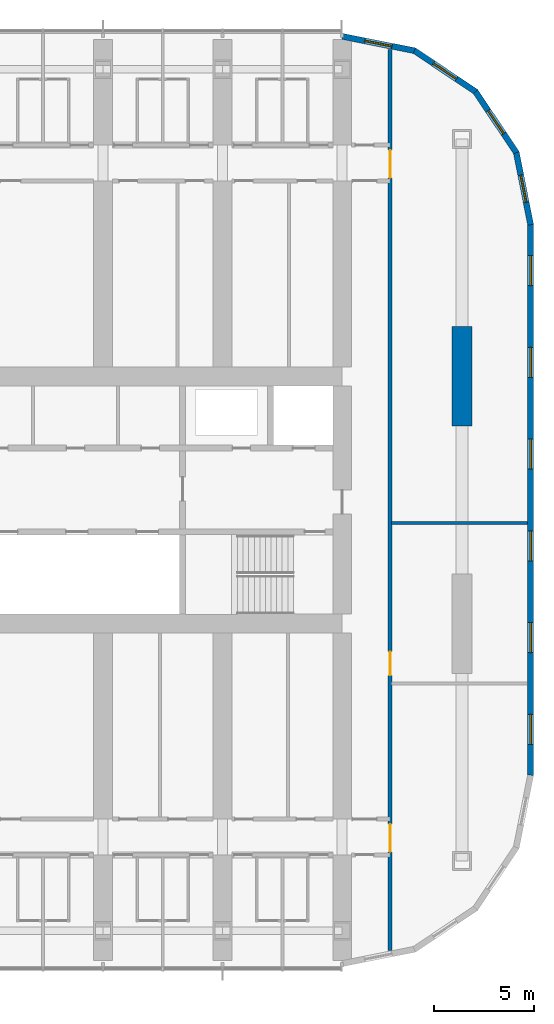
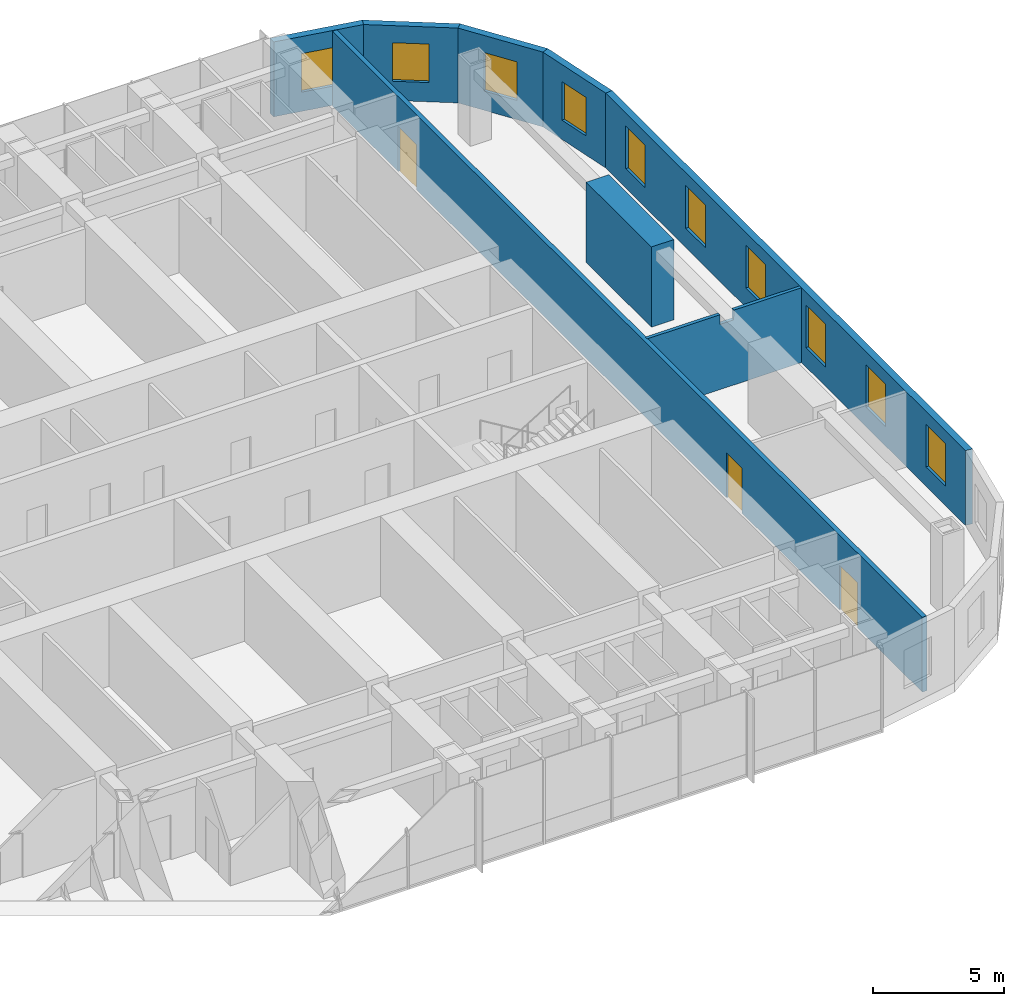
# One storey, part 19 of 26: 10 windows, 8 walls, 3 doors, 13 openings.
"""IFC4 building model written with IfcOpenShell, lengths in metres."""

from ifc_helpers import new_model, si_unit, direction, frame, frame_2d, origin, place, context, subcontext, project, spatial, polyline, rectangle, outline, extrude, material, layer, layer_set, type_object, element, fill, save


model = new_model("IFC4")

# Units and contexts
model_context = context("Model", 3, precision=1e-05, world=origin(), true_north=direction((0.0, 1.0)))
body_context = subcontext(model_context, "Body", "Model", "MODEL_VIEW")
ifc_project = project(units=[si_unit("LENGTHUNIT", "METRE"), si_unit("AREAUNIT", "SQUARE_METRE"), si_unit("VOLUMEUNIT", "CUBIC_METRE"), si_unit("PLANEANGLEUNIT", "RADIAN"), si_unit("MASSUNIT", "GRAM", prefix="KILO")], contexts=[model_context])

# Site, building, storey
site_placement = place(None, origin())
site = spatial("IfcSite", under=ifc_project, at=site_placement, CompositionType="ELEMENT")
building_placement = place(site_placement, origin())
building = spatial("IfcBuilding", under=site, at=building_placement, Name="Orbita Commons", CompositionType="ELEMENT")
storey_placement = place(building_placement, frame((0.0, 0.0, 114.39990234375)))
storey = spatial("IfcBuildingStorey", under=building, at=storey_placement, Name="L28", CompositionType="ELEMENT", Elevation=114.39990234375)

# Wall, openings, doors
ifc_material_1 = material(Name="Concrete blockwork", Category="masonry")
ifc_layer_1 = layer(ifc_material_1, 0.199951171875)
ifc_layer_set_1 = layer_set([ifc_layer_1], Name="Concrete blockwork")
wall_type_1 = type_object("IfcWallType", Name="Corridor wall 200 blockwork", PredefinedType="SOLIDWALL", material=ifc_layer_set_1)
wall_1_placement = place(storey_placement, frame((68.39990234375, 9.4052734375, 0.0), z_axis=(0.0, 0.0, 1.0), x_axis=(0.0, 1.0, 0.0)))
wall_1 = element("IfcWall", 1, at=wall_1_placement, inside=storey, type_object=wall_type_1, Name="Corridor wall 200 blockwork L28", PredefinedType="SOLIDWALL", context=body_context, shape_type="SweptSolid", body=[
    extrude(rectangle(XDim=45.189453125, YDim=0.199951171875, at=frame_2d((22.5947265625, 0.0))), origin(), (0.0, 0.0, 1.0), 3.5),
])
opening_1_placement = place(wall_1_placement, frame((13.794677734375, 0.0, 0.0)))
opening_1 = element("IfcOpeningElement", 2, at=opening_1_placement, cuts=wall_1, Name="Opening D15", PredefinedType="OPENING", context=body_context, shape_type="SweptSolid", body=[
    extrude(rectangle(XDim=1.199951171875, YDim=2.10009765625, at=frame_2d((0.60009765625, 1.050048828125))), frame((0.0, 0.10986328125, 0.0), z_axis=(0.0, -1.0, 0.0), x_axis=(1.0, 0.0, 0.0)), (0.0, 0.0, 1.0), 0.219970703125),
])
opening_2_placement = place(wall_1_placement, frame((4.94482421875, 0.0, 0.0)))
opening_2 = element("IfcOpeningElement", 3, at=opening_2_placement, cuts=wall_1, Name="Opening D08", PredefinedType="OPENING", context=body_context, shape_type="SweptSolid", body=[
    extrude(rectangle(XDim=1.39990234375, YDim=2.10009765625, at=frame_2d((0.699951171875, 1.050048828125))), frame((0.0, 0.10986328125, 0.0), z_axis=(0.0, -1.0, 0.0), x_axis=(1.0, 0.0, 0.0)), (0.0, 0.0, 1.0), 0.219970703125),
])
opening_3_placement = place(wall_1_placement, frame((38.74462890625, 0.0, 0.0)))
opening_3 = element("IfcOpeningElement", 4, at=opening_3_placement, cuts=wall_1, Name="Opening D08", PredefinedType="OPENING", context=body_context, shape_type="SweptSolid", body=[
    extrude(rectangle(XDim=1.39990234375, YDim=2.10009765625, at=frame_2d((0.699951171875, 1.050048828125))), frame((0.0, 0.10986328125, 0.0), z_axis=(0.0, -1.0, 0.0), x_axis=(1.0, 0.0, 0.0)), (0.0, 0.0, 1.0), 0.219970703125),
])
ifc_material_2 = material(Name="Steel-faced fire door leaf", Category="steel")
door_type_1 = type_object("IfcDoorType", Name="Corridor door 20 min 1200x2100", OperationType="SINGLE_SWING_LEFT", PredefinedType="DOOR", material=ifc_material_2)
door_1_placement = place(opening_1_placement, origin())
door_1 = element("IfcDoor", 5, at=door_1_placement, inside=storey, type_object=door_type_1, Name="Reading room door", OperationType="SINGLE_SWING_LEFT", OverallHeight=2.10009765625, OverallWidth=1.199951171875, PredefinedType="DOOR", context=body_context, shape_type="SweptSolid", body=[
    extrude(rectangle(XDim=1.199951171875, YDim=2.10009765625, at=frame_2d((0.60009765625, 1.050048828125))), frame((0.0, 0.02490234375, 0.0), z_axis=(0.0, -1.0, 0.0), x_axis=(1.0, 0.0, 0.0)), (0.0, 0.0, 1.0), 0.050048828125),
])
fill(opening_1, door_1)
ifc_material_3 = material(Name="Steel-faced fire door leaf", Category="steel")
door_type_2 = type_object("IfcDoorType", Name="Double corridor door 20 min 1400x2100", OperationType="DOUBLE_DOOR_SINGLE_SWING", PredefinedType="DOOR", material=ifc_material_3)
door_2_placement = place(opening_2_placement, origin())
door_2 = element("IfcDoor", 6, at=door_2_placement, inside=storey, type_object=door_type_2, Name="Lounge doors", OperationType="DOUBLE_DOOR_SINGLE_SWING", OverallHeight=2.10009765625, OverallWidth=1.39990234375, PredefinedType="DOOR", context=body_context, shape_type="SweptSolid", body=[
    extrude(rectangle(XDim=1.39990234375, YDim=2.10009765625, at=frame_2d((0.699951171875, 1.050048828125))), frame((0.0, 0.02490234375, 0.0), z_axis=(0.0, -1.0, 0.0), x_axis=(1.0, 0.0, 0.0)), (0.0, 0.0, 1.0), 0.050048828125),
])
fill(opening_2, door_2)
door_3_placement = place(opening_3_placement, origin())
door_3 = element("IfcDoor", 7, at=door_3_placement, inside=storey, type_object=door_type_2, Name="Lounge doors", OperationType="DOUBLE_DOOR_SINGLE_SWING", OverallHeight=2.10009765625, OverallWidth=1.39990234375, PredefinedType="DOOR", context=body_context, shape_type="SweptSolid", body=[
    extrude(rectangle(XDim=1.39990234375, YDim=2.10009765625, at=frame_2d((0.699951171875, 1.050048828125))), frame((0.0, 0.02490234375, 0.0), z_axis=(0.0, -1.0, 0.0), x_axis=(1.0, 0.0, 0.0)), (0.0, 0.0, 1.0), 0.050048828125),
])
fill(opening_3, door_3)

# Walls
ifc_material_4 = material(Name="Concrete C50/60", Category="concrete")
ifc_layer_2 = layer(ifc_material_4, 1.0)
ifc_layer_set_2 = layer_set([ifc_layer_2], Name="Concrete C50/60")
wall_type_2 = type_object("IfcWallType", Name="End pier 1000x5000 C50/60", PredefinedType="SHEAR", material=ifc_layer_set_2)
wall_2_placement = place(storey_placement, frame((72.0, 35.699951171875, 0.0), z_axis=(0.0, 0.0, 1.0), x_axis=(0.0, 1.0, 0.0)))
element("IfcWall", 8, at=wall_2_placement, inside=storey, type_object=wall_type_2, Name="End pier 13/D L28", PredefinedType="SHEAR", context=body_context, shape_type="SweptSolid", body=[
    extrude(rectangle(XDim=5.0, YDim=1.0, at=frame_2d((2.5, 0.0))), origin(), (0.0, 0.0, 1.0), 3.75),
])
ifc_material_5 = material(Name="Gypsum plasterboard on steel studs", Category="steel")
ifc_layer_3 = layer(ifc_material_5, 0.14990234375)
ifc_layer_set_3 = layer_set([ifc_layer_3], Name="Gypsum plasterboard on steel studs")
wall_type_3 = type_object("IfcWallType", Name="Partition 150 plasterboard", PredefinedType="PARTITIONING", material=ifc_layer_set_3)
wall_3_placement = place(storey_placement, frame((68.47509765625, 30.85009765625, 0.0), z_axis=(0.0, 0.0, 1.0), x_axis=(1.0, 0.0, 0.0)))
element("IfcWall", 9, at=wall_3_placement, inside=storey, type_object=wall_type_3, Name="Partition 150 plasterboard L28", PredefinedType="PARTITIONING", context=body_context, shape_type="SweptSolid", body=[
    extrude(outline(polyline([(0.0, 0.0), (6.81982421875, 0.0), (6.820068359375, 3.5), (3.826904296875, 3.5), (3.824951171875, 3.050048828125), (3.22705078125, 3.050048828125), (3.22509765625, 3.5), (0.0, 3.5), (0.0, 0.0)])), frame((0.0, 0.074951171875, 0.0), z_axis=(0.0, -1.0, 0.0), x_axis=(1.0, 0.0, 0.0)), (0.0, 0.0, 1.0), 0.14990234375),
])

# Wall, openings, windows
ifc_material_6 = material(Name="Precast concrete C40/50, white board-marked finish", Category="concrete")
ifc_layer_4 = layer(ifc_material_6, 0.300048828125)
ifc_layer_set_4 = layer_set([ifc_layer_4], Name="Precast concrete C40/50, white board-marked finish")
wall_type_4 = type_object("IfcWallType", Name="Precast concrete end shield 300", PredefinedType="SOLIDWALL", material=ifc_layer_set_4)
wall_4_placement = place(storey_placement, frame((75.449951171875, 18.199951171875, 0.0), z_axis=(0.0, 0.0, 1.0), x_axis=(0.0, 1.0, 0.0)))
wall_4 = element("IfcWall", 10, at=wall_4_placement, inside=storey, type_object=wall_type_4, Name="End shield E L28", PredefinedType="SOLIDWALL", context=body_context, shape_type="SweptSolid", body=[
    extrude(outline(polyline([(-0.014892578125, -0.14990234375), (27.614990234375, -0.14990234375), (27.585205078125, 0.14990234375), (0.014892578125, 0.14990234375), (-0.014892578125, -0.14990234375)])), origin(), (0.0, 0.0, 1.0), 3.5),
])
opening_4_placement = place(wall_4_placement, frame((1.550048828125, 0.0, 0.89990234375)))
opening_4 = element("IfcOpeningElement", 11, at=opening_4_placement, cuts=wall_4, Name="Opening W01", PredefinedType="OPENING", context=body_context, shape_type="SweptSolid", body=[
    extrude(rectangle(XDim=1.5, YDim=2.0, at=frame_2d((0.75, 1.0))), frame((0.0, 0.159912109375, 0.0), z_axis=(0.0, -1.0, 0.0), x_axis=(1.0, 0.0, 0.0)), (0.0, 0.0, 1.0), 0.320068359375),
])
opening_5_placement = place(wall_4_placement, frame((6.14990234375, 0.0, 0.89990234375)))
opening_5 = element("IfcOpeningElement", 12, at=opening_5_placement, cuts=wall_4, Name="Opening W01", PredefinedType="OPENING", context=body_context, shape_type="SweptSolid", body=[
    extrude(rectangle(XDim=1.5, YDim=2.0, at=frame_2d((0.75, 1.0))), frame((0.0, 0.159912109375, 0.0), z_axis=(0.0, -1.0, 0.0), x_axis=(1.0, 0.0, 0.0)), (0.0, 0.0, 1.0), 0.320068359375),
])
opening_6_placement = place(wall_4_placement, frame((10.75, 0.0, 0.89990234375)))
opening_6 = element("IfcOpeningElement", 13, at=opening_6_placement, cuts=wall_4, Name="Opening W01", PredefinedType="OPENING", context=body_context, shape_type="SweptSolid", body=[
    extrude(rectangle(XDim=1.5, YDim=2.0, at=frame_2d((0.75, 1.0))), frame((0.0, 0.159912109375, 0.0), z_axis=(0.0, -1.0, 0.0), x_axis=(1.0, 0.0, 0.0)), (0.0, 0.0, 1.0), 0.320068359375),
])
opening_7_placement = place(wall_4_placement, frame((15.35009765625, 0.0, 0.89990234375)))
opening_7 = element("IfcOpeningElement", 14, at=opening_7_placement, cuts=wall_4, Name="Opening W01", PredefinedType="OPENING", context=body_context, shape_type="SweptSolid", body=[
    extrude(rectangle(XDim=1.5, YDim=2.0, at=frame_2d((0.75, 1.0))), frame((0.0, 0.159912109375, 0.0), z_axis=(0.0, -1.0, 0.0), x_axis=(1.0, 0.0, 0.0)), (0.0, 0.0, 1.0), 0.320068359375),
])
opening_8_placement = place(wall_4_placement, frame((19.949951171875, 0.0, 0.89990234375)))
opening_8 = element("IfcOpeningElement", 15, at=opening_8_placement, cuts=wall_4, Name="Opening W01", PredefinedType="OPENING", context=body_context, shape_type="SweptSolid", body=[
    extrude(rectangle(XDim=1.5, YDim=2.0, at=frame_2d((0.75, 1.0))), frame((0.0, 0.159912109375, 0.0), z_axis=(0.0, -1.0, 0.0), x_axis=(1.0, 0.0, 0.0)), (0.0, 0.0, 1.0), 0.320068359375),
])
opening_9_placement = place(wall_4_placement, frame((24.550048828125, 0.0, 0.89990234375)))
opening_9 = element("IfcOpeningElement", 16, at=opening_9_placement, cuts=wall_4, Name="Opening W01", PredefinedType="OPENING", context=body_context, shape_type="SweptSolid", body=[
    extrude(rectangle(XDim=1.5, YDim=2.0, at=frame_2d((0.75, 1.0))), frame((0.0, 0.159912109375, 0.0), z_axis=(0.0, -1.0, 0.0), x_axis=(1.0, 0.0, 0.0)), (0.0, 0.0, 1.0), 0.320068359375),
])
ifc_material_7 = material(Name="Aluminium frame, clear double glazing", Category="aluminium")
window_type_1 = type_object("IfcWindowType", Name="Deep-set window 1500x2000", PartitioningType="SINGLE_PANEL", PredefinedType="WINDOW", material=ifc_material_7)
window_1_placement = place(opening_4_placement, origin())
window_1 = element("IfcWindow", 17, at=window_1_placement, inside=storey, type_object=window_type_1, Name="Window L28-E 1", OverallHeight=2.0, OverallWidth=1.5, PartitioningType="SINGLE_PANEL", PredefinedType="WINDOW", context=body_context, shape_type="SweptSolid", body=[
    extrude(rectangle(XDim=1.5, YDim=2.0, at=frame_2d((0.75, 1.0))), frame((0.0, 0.030029296875, 0.0), z_axis=(0.0, -1.0, 0.0), x_axis=(1.0, 0.0, 0.0)), (0.0, 0.0, 1.0), 0.06005859375),
])
fill(opening_4, window_1)
window_2_placement = place(opening_5_placement, origin())
window_2 = element("IfcWindow", 18, at=window_2_placement, inside=storey, type_object=window_type_1, Name="Window L28-E 2", OverallHeight=2.0, OverallWidth=1.5, PartitioningType="SINGLE_PANEL", PredefinedType="WINDOW", context=body_context, shape_type="SweptSolid", body=[
    extrude(rectangle(XDim=1.5, YDim=2.0, at=frame_2d((0.75, 1.0))), frame((0.0, 0.030029296875, 0.0), z_axis=(0.0, -1.0, 0.0), x_axis=(1.0, 0.0, 0.0)), (0.0, 0.0, 1.0), 0.06005859375),
])
fill(opening_5, window_2)
window_3_placement = place(opening_6_placement, origin())
window_3 = element("IfcWindow", 19, at=window_3_placement, inside=storey, type_object=window_type_1, Name="Window L28-E 3", OverallHeight=2.0, OverallWidth=1.5, PartitioningType="SINGLE_PANEL", PredefinedType="WINDOW", context=body_context, shape_type="SweptSolid", body=[
    extrude(rectangle(XDim=1.5, YDim=2.0, at=frame_2d((0.75, 1.0))), frame((0.0, 0.030029296875, 0.0), z_axis=(0.0, -1.0, 0.0), x_axis=(1.0, 0.0, 0.0)), (0.0, 0.0, 1.0), 0.06005859375),
])
fill(opening_6, window_3)
window_4_placement = place(opening_7_placement, origin())
window_4 = element("IfcWindow", 20, at=window_4_placement, inside=storey, type_object=window_type_1, Name="Window L28-E 4", OverallHeight=2.0, OverallWidth=1.5, PartitioningType="SINGLE_PANEL", PredefinedType="WINDOW", context=body_context, shape_type="SweptSolid", body=[
    extrude(rectangle(XDim=1.5, YDim=2.0, at=frame_2d((0.75, 1.0))), frame((0.0, 0.030029296875, 0.0), z_axis=(0.0, -1.0, 0.0), x_axis=(1.0, 0.0, 0.0)), (0.0, 0.0, 1.0), 0.06005859375),
])
fill(opening_7, window_4)
window_5_placement = place(opening_8_placement, origin())
window_5 = element("IfcWindow", 21, at=window_5_placement, inside=storey, type_object=window_type_1, Name="Window L28-E 5", OverallHeight=2.0, OverallWidth=1.5, PartitioningType="SINGLE_PANEL", PredefinedType="WINDOW", context=body_context, shape_type="SweptSolid", body=[
    extrude(rectangle(XDim=1.5, YDim=2.0, at=frame_2d((0.75, 1.0))), frame((0.0, 0.030029296875, 0.0), z_axis=(0.0, -1.0, 0.0), x_axis=(1.0, 0.0, 0.0)), (0.0, 0.0, 1.0), 0.06005859375),
])
fill(opening_8, window_5)
window_6_placement = place(opening_9_placement, origin())
window_6 = element("IfcWindow", 22, at=window_6_placement, inside=storey, type_object=window_type_1, Name="Window L28-E 6", OverallHeight=2.0, OverallWidth=1.5, PartitioningType="SINGLE_PANEL", PredefinedType="WINDOW", context=body_context, shape_type="SweptSolid", body=[
    extrude(rectangle(XDim=1.5, YDim=2.0, at=frame_2d((0.75, 1.0))), frame((0.0, 0.030029296875, 0.0), z_axis=(0.0, -1.0, 0.0), x_axis=(1.0, 0.0, 0.0)), (0.0, 0.0, 1.0), 0.06005859375),
])
fill(opening_9, window_6)

# Wall, opening, window
wall_5_placement = place(storey_placement, frame((75.449951171875, 45.800048828125, 0.0), z_axis=(0.0, 0.0, 1.0), x_axis=(-0.195059183267, 0.980791473772, 0.0)))
wall_5 = element("IfcWall", 23, at=wall_5_placement, inside=storey, type_object=wall_type_4, Name="End shield NE chord 1 L28", PredefinedType="SOLIDWALL", context=body_context, shape_type="SweptSolid", body=[
    extrude(outline(polyline([(-0.014892578125, -0.14990234375), (3.717041015625, -0.14990234375), (3.657470703125, 0.14990234375), (0.014892578125, 0.14990234375), (-0.014892578125, -0.14990234375)])), origin(), (0.0, 0.0, 1.0), 3.5),
])
opening_10_placement = place(wall_5_placement, frame((1.1435546875, 0.0, 0.89990234375)))
opening_10 = element("IfcOpeningElement", 24, at=opening_10_placement, cuts=wall_5, Name="Opening W02", PredefinedType="OPENING", context=body_context, shape_type="SweptSolid", body=[
    extrude(rectangle(XDim=1.39990234375, YDim=1.800048828125, at=frame_2d((0.699951171875, 0.89990234375))), frame((0.0, 0.159912109375, 0.0), z_axis=(0.0, -1.0, 0.0), x_axis=(1.0, 0.0, 0.0)), (0.0, 0.0, 1.0), 0.320068359375),
])
ifc_material_8 = material(Name="Aluminium frame, clear double glazing", Category="aluminium")
window_type_2 = type_object("IfcWindowType", Name="Deep-set window 1400x1800", PartitioningType="SINGLE_PANEL", PredefinedType="WINDOW", material=ifc_material_8)
window_7_placement = place(opening_10_placement, origin())
window_7 = element("IfcWindow", 25, at=window_7_placement, inside=storey, type_object=window_type_2, Name="Window L28-NE0", OverallHeight=1.800048828125, OverallWidth=1.39990234375, PartitioningType="SINGLE_PANEL", PredefinedType="WINDOW", context=body_context, shape_type="SweptSolid", body=[
    extrude(rectangle(XDim=1.39990234375, YDim=1.800048828125, at=frame_2d((0.699951171875, 0.89990234375))), frame((0.0, 0.030029296875, 0.0), z_axis=(0.0, -1.0, 0.0), x_axis=(1.0, 0.0, 0.0)), (0.0, 0.0, 1.0), 0.06005859375),
])
fill(opening_10, window_7)

wall_6_placement = place(storey_placement, frame((74.730712890625, 49.41650390625, 0.0), z_axis=(0.0, 0.0, 1.0), x_axis=(-0.555601399253, 0.831448786846, 0.0)))
wall_6 = element("IfcWall", 26, at=wall_6_placement, inside=storey, type_object=wall_type_4, Name="End shield NE chord 2 L28", PredefinedType="SOLIDWALL", context=body_context, shape_type="SweptSolid", body=[
    extrude(outline(polyline([(-0.02978515625, -0.14990234375), (3.717041015625, -0.14990234375), (3.657470703125, 0.14990234375), (0.02978515625, 0.14990234375), (-0.02978515625, -0.14990234375)])), origin(), (0.0, 0.0, 1.0), 3.5),
])
opening_11_placement = place(wall_6_placement, frame((1.1435546875, 0.0, 0.89990234375)))
opening_11 = element("IfcOpeningElement", 27, at=opening_11_placement, cuts=wall_6, Name="Opening W02", PredefinedType="OPENING", context=body_context, shape_type="SweptSolid", body=[
    extrude(rectangle(XDim=1.39990234375, YDim=1.800048828125, at=frame_2d((0.699951171875, 0.89990234375))), frame((0.0, 0.159912109375, 0.0), z_axis=(0.0, -1.0, 0.0), x_axis=(1.0, 0.0, 0.0)), (0.0, 0.0, 1.0), 0.320068359375),
])
window_8_placement = place(opening_11_placement, origin())
window_8 = element("IfcWindow", 28, at=window_8_placement, inside=storey, type_object=window_type_2, Name="Window L28-NE1", OverallHeight=1.800048828125, OverallWidth=1.39990234375, PartitioningType="SINGLE_PANEL", PredefinedType="WINDOW", context=body_context, shape_type="SweptSolid", body=[
    extrude(rectangle(XDim=1.39990234375, YDim=1.800048828125, at=frame_2d((0.699951171875, 0.89990234375))), frame((0.0, 0.030029296875, 0.0), z_axis=(0.0, -1.0, 0.0), x_axis=(1.0, 0.0, 0.0)), (0.0, 0.0, 1.0), 0.06005859375),
])
fill(opening_11, window_8)

wall_7_placement = place(storey_placement, frame((72.68212890625, 52.482177734375, 0.0), z_axis=(0.0, 0.0, 1.0), x_axis=(-0.831448786846, 0.555601399253, 0.0)))
wall_7 = element("IfcWall", 29, at=wall_7_placement, inside=storey, type_object=wall_type_4, Name="End shield NE chord 3 L28", PredefinedType="SOLIDWALL", context=body_context, shape_type="SweptSolid", body=[
    extrude(outline(polyline([(-0.02978515625, -0.14990234375), (3.717041015625, -0.14990234375), (3.657470703125, 0.14990234375), (0.02978515625, 0.14990234375), (-0.02978515625, -0.14990234375)])), origin(), (0.0, 0.0, 1.0), 3.5),
])
opening_12_placement = place(wall_7_placement, frame((1.1435546875, 0.0, 0.89990234375)))
opening_12 = element("IfcOpeningElement", 30, at=opening_12_placement, cuts=wall_7, Name="Opening W02", PredefinedType="OPENING", context=body_context, shape_type="SweptSolid", body=[
    extrude(rectangle(XDim=1.39990234375, YDim=1.800048828125, at=frame_2d((0.699951171875, 0.89990234375))), frame((0.0, 0.159912109375, 0.0), z_axis=(0.0, -1.0, 0.0), x_axis=(1.0, 0.0, 0.0)), (0.0, 0.0, 1.0), 0.320068359375),
])
window_9_placement = place(opening_12_placement, origin())
window_9 = element("IfcWindow", 31, at=window_9_placement, inside=storey, type_object=window_type_2, Name="Window L28-NE2", OverallHeight=1.800048828125, OverallWidth=1.39990234375, PartitioningType="SINGLE_PANEL", PredefinedType="WINDOW", context=body_context, shape_type="SweptSolid", body=[
    extrude(rectangle(XDim=1.39990234375, YDim=1.800048828125, at=frame_2d((0.699951171875, 0.89990234375))), frame((0.0, 0.030029296875, 0.0), z_axis=(0.0, -1.0, 0.0), x_axis=(1.0, 0.0, 0.0)), (0.0, 0.0, 1.0), 0.06005859375),
])
fill(opening_12, window_9)

wall_8_placement = place(storey_placement, frame((69.616455078125, 54.53076171875, 0.0), z_axis=(0.0, 0.0, 1.0), x_axis=(-0.980791473772, 0.195059183267, 0.0)))
wall_8 = element("IfcWall", 32, at=wall_8_placement, inside=storey, type_object=wall_type_4, Name="End shield NE chord 4 L28", PredefinedType="SOLIDWALL", context=body_context, shape_type="SweptSolid", body=[
    extrude(outline(polyline([(-0.02978515625, -0.14990234375), (3.717041015625, -0.14990234375), (3.657470703125, 0.14990234375), (0.02978515625, 0.14990234375), (-0.02978515625, -0.14990234375)])), origin(), (0.0, 0.0, 1.0), 3.5),
])
opening_13_placement = place(wall_8_placement, frame((1.1435546875, 0.0, 0.89990234375)))
opening_13 = element("IfcOpeningElement", 33, at=opening_13_placement, cuts=wall_8, Name="Opening W02", PredefinedType="OPENING", context=body_context, shape_type="SweptSolid", body=[
    extrude(rectangle(XDim=1.39990234375, YDim=1.800048828125, at=frame_2d((0.699951171875, 0.89990234375))), frame((0.0, 0.159912109375, 0.0), z_axis=(0.0, -1.0, 0.0), x_axis=(1.0, 0.0, 0.0)), (0.0, 0.0, 1.0), 0.320068359375),
])
window_10_placement = place(opening_13_placement, origin())
window_10 = element("IfcWindow", 34, at=window_10_placement, inside=storey, type_object=window_type_2, Name="Window L28-NE3", OverallHeight=1.800048828125, OverallWidth=1.39990234375, PartitioningType="SINGLE_PANEL", PredefinedType="WINDOW", context=body_context, shape_type="SweptSolid", body=[
    extrude(rectangle(XDim=1.39990234375, YDim=1.800048828125, at=frame_2d((0.699951171875, 0.89990234375))), frame((0.0, 0.030029296875, 0.0), z_axis=(0.0, -1.0, 0.0), x_axis=(1.0, 0.0, 0.0)), (0.0, 0.0, 1.0), 0.06005859375),
])
fill(opening_13, window_10)

save(model, "model.ifc")
